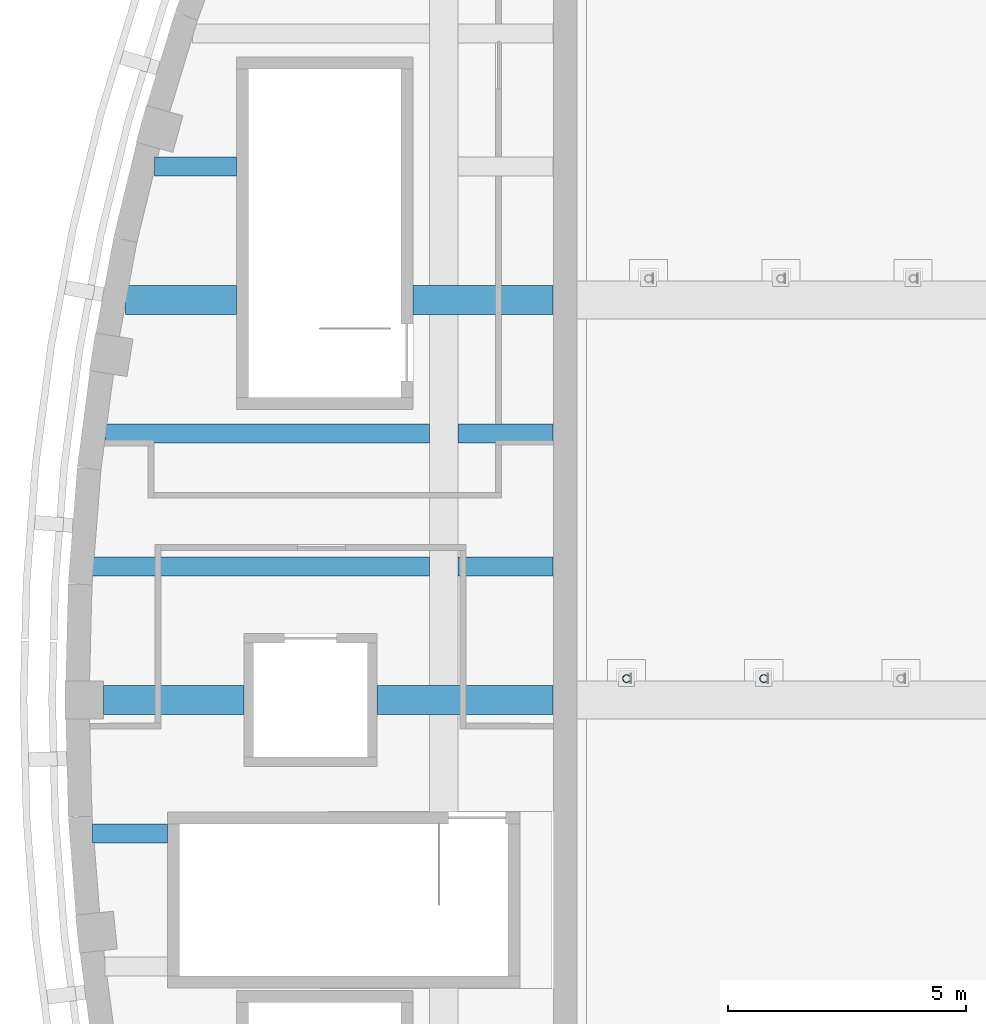
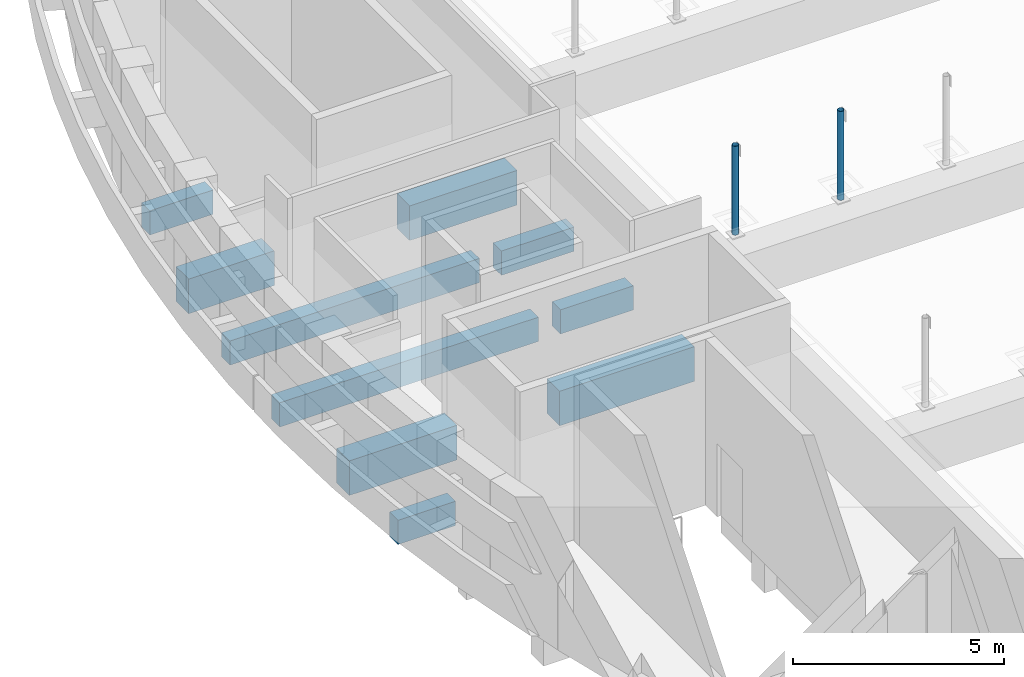
# One storey, part 8 of 47: 10 beams, 2 members.
"""IFC4 building model written with IfcOpenShell, lengths in metres."""

from ifc_helpers import new_model, si_unit, direction, frame, origin, origin_2d, place, context, subcontext, project, spatial, rectangle, hollow_circle, extrude, material, material_profile, profile_set, type_object, element, save


model = new_model("IFC4")

# Units and contexts
model_context = context("Model", 3, precision=1e-05, world=origin(), true_north=direction((0.0, 1.0)))
body_context = subcontext(model_context, "Body", "Model", "MODEL_VIEW")
ifc_project = project(units=[si_unit("LENGTHUNIT", "METRE"), si_unit("AREAUNIT", "SQUARE_METRE"), si_unit("VOLUMEUNIT", "CUBIC_METRE"), si_unit("PLANEANGLEUNIT", "RADIAN"), si_unit("MASSUNIT", "GRAM", prefix="KILO")], contexts=[model_context])

# Site, building, storey
site_placement = place(None, origin())
site = spatial("IfcSite", under=ifc_project, at=site_placement, CompositionType="ELEMENT")
building_placement = place(site_placement, origin())
building = spatial("IfcBuilding", under=site, at=building_placement, Name="Larchfold Concert Hall", CompositionType="ELEMENT")
storey_placement = place(building_placement, frame((0.0, 0.0, 24.0)))
storey = spatial("IfcBuildingStorey", under=building, at=storey_placement, Name="L05", CompositionType="ELEMENT", Elevation=24.0)

# Beams
ifc_material_1 = material(Name="Concrete C35/45", Category="concrete")
ifc_material_profile_1 = material_profile(ifc_material_1, rectangle(XDim=0.39990234375, YDim=0.699951171875, at=origin_2d()))
ifc_profile_set_1 = profile_set([ifc_material_profile_1], Name="Concrete C35/45")
beam_type_1 = type_object("IfcBeamType", Name="Beam RC 400x700", PredefinedType="BEAM", material=ifc_profile_set_1)
beam_1_placement = place(storey_placement, frame((18.421875, 81.800048828125, -0.550048828125), z_axis=(1.0, 0.0, 0.0), x_axis=(0.0, 1.0, 0.0)))
element("IfcBeam", 1, at=beam_1_placement, inside=storey, type_object=beam_type_1, Name="Beam B1566", PredefinedType="BEAM", context=body_context, shape_type="SweptSolid", body=[
    extrude(rectangle(XDim=0.39990234375, YDim=0.699951171875, at=origin_2d()), origin(), (0.0, 0.0, 1.0), 1.578125),
])
beam_2_placement = place(storey_placement, frame((18.422119140625, 87.39990234375, -0.550048828125), z_axis=(1.0, 0.0, 0.0), x_axis=(0.0, 1.0, 0.0)))
element("IfcBeam", 2, at=beam_2_placement, inside=storey, type_object=beam_type_1, Name="Beam B1568", PredefinedType="BEAM", context=body_context, shape_type="SweptSolid", body=[
    extrude(rectangle(XDim=0.39990234375, YDim=0.699951171875, at=origin_2d()), origin(), (0.0, 0.0, 1.0), 7.077880859375),
])
beam_3_placement = place(storey_placement, frame((26.10009765625, 87.39990234375, -0.550048828125), z_axis=(1.0, 0.0, 0.0), x_axis=(0.0, 1.0, 0.0)))
element("IfcBeam", 3, at=beam_3_placement, inside=storey, type_object=beam_type_1, Name="Beam B1569", PredefinedType="BEAM", context=body_context, shape_type="SweptSolid", body=[
    extrude(rectangle(XDim=0.39990234375, YDim=0.699951171875, at=origin_2d()), origin(), (0.0, 0.0, 1.0), 1.989990234375),
])
beam_4_placement = place(storey_placement, frame((18.680419921875, 90.199951171875, -0.550048828125), z_axis=(1.0, 0.0, 0.0), x_axis=(0.0, 1.0, 0.0)))
element("IfcBeam", 4, at=beam_4_placement, inside=storey, type_object=beam_type_1, Name="Beam B1572", PredefinedType="BEAM", context=body_context, shape_type="SweptSolid", body=[
    extrude(rectangle(XDim=0.39990234375, YDim=0.699951171875, at=origin_2d()), origin(), (0.0, 0.0, 1.0), 6.819580078125),
])
beam_5_placement = place(storey_placement, frame((26.10009765625, 90.199951171875, -0.550048828125), z_axis=(1.0, 0.0, 0.0), x_axis=(0.0, 1.0, 0.0)))
element("IfcBeam", 5, at=beam_5_placement, inside=storey, type_object=beam_type_1, Name="Beam B1573", PredefinedType="BEAM", context=body_context, shape_type="SweptSolid", body=[
    extrude(rectangle(XDim=0.39990234375, YDim=0.699951171875, at=origin_2d()), origin(), (0.0, 0.0, 1.0), 1.989990234375),
])
beam_6_placement = place(storey_placement, frame((19.72021484375, 95.800048828125, -0.550048828125), z_axis=(1.0, 0.0, 0.0), x_axis=(0.0, 1.0, 0.0)))
element("IfcBeam", 6, at=beam_6_placement, inside=storey, type_object=beam_type_1, Name="Beam B1576", PredefinedType="BEAM", context=body_context, shape_type="SweptSolid", body=[
    extrude(rectangle(XDim=0.39990234375, YDim=0.699951171875, at=origin_2d()), origin(), (0.0, 0.0, 1.0), 1.729736328125),
])
ifc_material_2 = material(Name="Concrete C35/45", Category="concrete")
ifc_material_profile_2 = material_profile(ifc_material_2, rectangle(XDim=0.60009765625, YDim=1.0, at=origin_2d()))
ifc_profile_set_2 = profile_set([ifc_material_profile_2], Name="Concrete C35/45")
beam_type_2 = type_object("IfcBeamType", Name="Beam RC 600x1000", PredefinedType="BEAM", material=ifc_profile_set_2)
beam_7_placement = place(storey_placement, frame((18.650146484375, 84.60009765625, -0.699951171875), z_axis=(1.0, 0.0, 0.0), x_axis=(0.0, 1.0, 0.0)))
element("IfcBeam", 7, at=beam_7_placement, inside=storey, type_object=beam_type_2, Name="Beam B1538", PredefinedType="BEAM", context=body_context, shape_type="SweptSolid", body=[
    extrude(rectangle(XDim=0.60009765625, YDim=1.0, at=origin_2d()), origin(), (0.0, 0.0, 1.0), 2.949951171875),
])
beam_8_placement = place(storey_placement, frame((24.39990234375, 84.60009765625, -0.699951171875), z_axis=(1.0, 0.0, 0.0), x_axis=(0.0, 1.0, 0.0)))
element("IfcBeam", 8, at=beam_8_placement, inside=storey, type_object=beam_type_2, Name="Beam B1539", PredefinedType="BEAM", context=body_context, shape_type="SweptSolid", body=[
    extrude(rectangle(XDim=0.60009765625, YDim=1.0, at=origin_2d()), origin(), (0.0, 0.0, 1.0), 3.690185546875),
])
beam_9_placement = place(storey_placement, frame((19.1103515625, 93.0, -0.699951171875), z_axis=(1.0, 0.0, 0.0), x_axis=(0.0, 1.0, 0.0)))
element("IfcBeam", 9, at=beam_9_placement, inside=storey, type_object=beam_type_2, Name="Beam B1542", PredefinedType="BEAM", context=body_context, shape_type="SweptSolid", body=[
    extrude(rectangle(XDim=0.60009765625, YDim=1.0, at=origin_2d()), origin(), (0.0, 0.0, 1.0), 2.339599609375),
])
beam_10_placement = place(storey_placement, frame((25.14990234375, 93.0, -0.699951171875), z_axis=(1.0, 0.0, 0.0), x_axis=(0.0, 1.0, 0.0)))
element("IfcBeam", 10, at=beam_10_placement, inside=storey, type_object=beam_type_2, Name="Beam B1543", PredefinedType="BEAM", context=body_context, shape_type="SweptSolid", body=[
    extrude(rectangle(XDim=0.60009765625, YDim=1.0, at=origin_2d()), origin(), (0.0, 0.0, 1.0), 2.940185546875),
])

# Members
ifc_material_3 = material(Name="Steel S355J2H", Category="steel")
ifc_material_profile_3 = material_profile(ifc_material_3, hollow_circle(Radius=0.084228515625, WallThickness=0.008056640625, at=origin_2d()))
ifc_profile_set_3 = profile_set([ifc_material_profile_3], Name="Steel S355J2H")
member_type = type_object("IfcMemberType", Name="Truss post CHS 168.3x8", PredefinedType="POST", material=ifc_profile_set_3)
for number, where, z_axis, x_axis, name in (
    (11, (29.6376953125, 85.050048828125, 2.080078125), (0.0, 0.0, 1.0), (1.0, 0.0, 0.0), "Member TP021"),
    (12, (32.518310546875, 85.050048828125, 2.080078125), (0.0, 0.0, 1.0), (1.0, 0.0, 0.0), "Member TP022"),
):
    element("IfcMember", number, at=place(storey_placement, frame(where, z_axis=z_axis, x_axis=x_axis)), inside=storey, type_object=member_type, Name=name, PredefinedType="POST", context=body_context, shape_type="SweptSolid", body=[
        extrude(hollow_circle(Radius=0.084228515625, WallThickness=0.008056640625, at=origin_2d()), origin(), (0.0, 0.0, 1.0), 2.570068359375),
    ])

save(model, "model.ifc")
